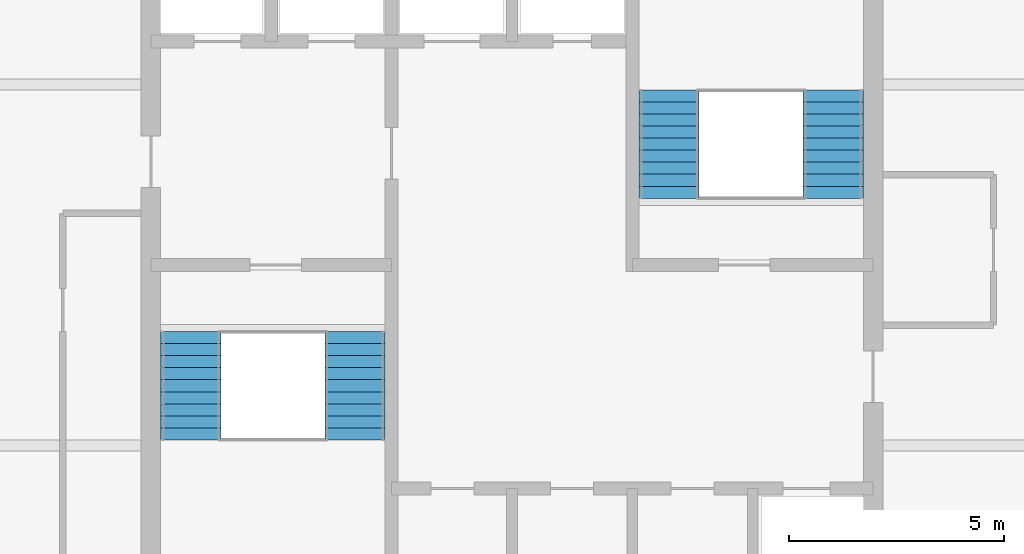
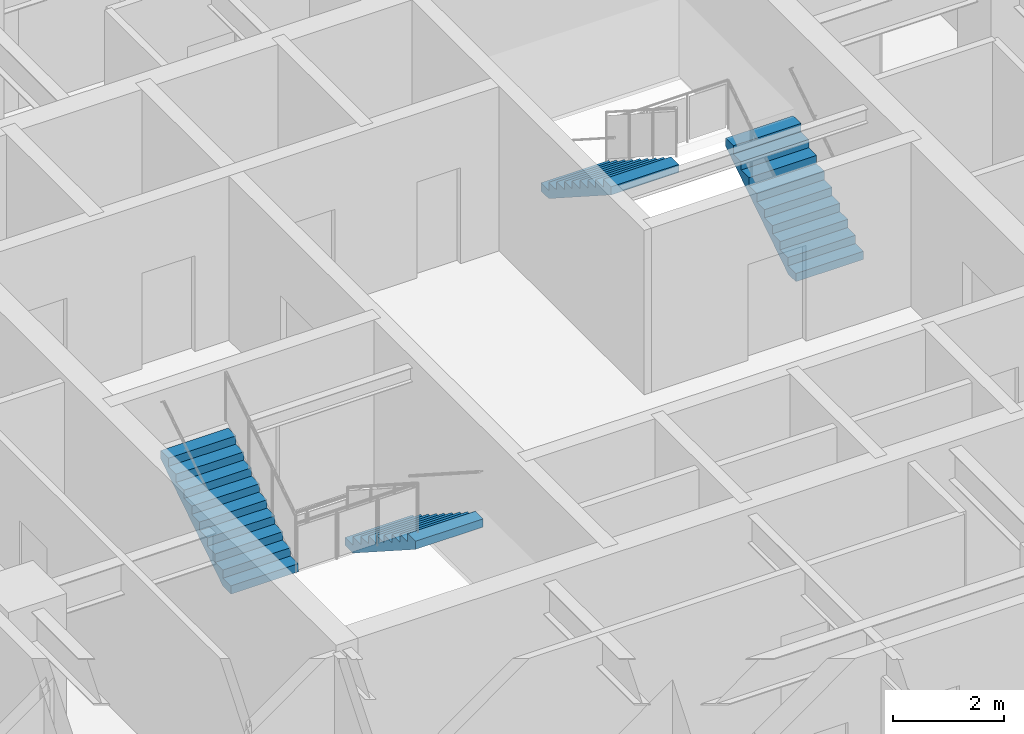
# One storey, part 9 of 10: 4 stair flights, 2 elements without a shape of their own.
"""IFC4 building model written with IfcOpenShell, lengths in metres."""

from ifc_helpers import new_model, si_unit, direction, frame, origin, place, context, subcontext, project, spatial, polyline, outline, extrude, material, type_object, element, aggregate, save


model = new_model("IFC4")

# Units and contexts
model_context = context("Model", 3, precision=1e-05, world=origin(), true_north=direction((0.0, 1.0)))
body_context = subcontext(model_context, "Body", "Model", "MODEL_VIEW")
ifc_project = project(units=[si_unit("LENGTHUNIT", "METRE"), si_unit("AREAUNIT", "SQUARE_METRE"), si_unit("VOLUMEUNIT", "CUBIC_METRE"), si_unit("PLANEANGLEUNIT", "RADIAN"), si_unit("MASSUNIT", "GRAM", prefix="KILO")], contexts=[model_context])

# Site, building, storey
site_placement = place(None, origin())
site = spatial("IfcSite", under=ifc_project, at=site_placement, CompositionType="ELEMENT")
building_placement = place(site_placement, origin())
building = spatial("IfcBuilding", under=site, at=building_placement, Name="Torre Alcanfor", CompositionType="ELEMENT")
storey_placement = place(building_placement, frame((0.0, 0.0, 264.89990234375)))
storey = spatial("IfcBuildingStorey", under=building, at=storey_placement, Name="L69", CompositionType="ELEMENT", Elevation=264.89990234375)

# Stair, stair flights
ifc_material_1 = material(Name="Concrete f'c 35 MPa", Category="concrete")
stair_type_1 = type_object("IfcStairType", Name="Exit stair S1 1400 wide", PredefinedType="HALF_TURN_STAIR", material=ifc_material_1)
stair_1_placement = place(storey_placement, origin())
stair_1 = element("IfcStair", 1, at=stair_1_placement, inside=storey, type_object=stair_type_1, Name="Stair S1 L69 to L70", PredefinedType="HALF_TURN_STAIR")
ifc_material_2 = material(Name="Concrete f'c 35 MPa", Category="concrete")
stair_flight_type = type_object("IfcStairFlightType", Name="Stair flight 1400", PredefinedType="STRAIGHT", material=ifc_material_2)
stair_flight_1_placement = place(storey_placement, frame((25.75, 27.85009765625, 0.0), z_axis=(0.0, 0.0, 1.0), x_axis=(0.0, -1.0, 0.0)))
stair_flight_1 = element("IfcStairFlight", 2, at=stair_flight_1_placement, type_object=stair_flight_type, Name="S1 flight 1", NumberOfRisers=10, NumberOfTreads=9, PredefinedType="STRAIGHT", RiserHeight=0.18, TreadLength=0.28, context=body_context, shape_type="SweptSolid", body=[
    extrude(outline(polyline([(0.0, 0.0), (0.0, 0.179931640625), (0.280029296875, 0.179931640625), (0.280029296875, 0.360107421875), (0.56005859375, 0.360107421875), (0.56005859375, 0.5400390625), (0.840087890625, 0.5400390625), (0.840087890625, 0.719970703125), (1.1201171875, 0.719970703125), (1.1201171875, 0.89990234375), (1.39990234375, 0.89990234375), (1.39990234375, 1.080078125), (1.679931640625, 1.080078125), (1.679931640625, 1.260009765625), (1.9599609375, 1.260009765625), (1.9599609375, 1.43994140625), (2.239990234375, 1.43994140625), (2.239990234375, 1.6201171875), (2.52001953125, 1.6201171875), (2.52001953125, 1.800048828125), (2.52001953125, 1.44189453125), (0.277099609375, 0.0), (0.0, 0.0)])), frame((0.0, 0.699951171875, 0.0), z_axis=(0.0, -1.0, 0.0), x_axis=(1.0, 0.0, 0.0)), (0.0, 0.0, 1.0), 1.39990234375),
])
stair_flight_2_placement = place(storey_placement, frame((21.925048828125, 25.330078125, 1.800048828125), z_axis=(0.0, 0.0, 1.0), x_axis=(0.0, 1.0, 0.0)))
stair_flight_2 = element("IfcStairFlight", 3, at=stair_flight_2_placement, type_object=stair_flight_type, Name="S1 flight 2", NumberOfRisers=10, NumberOfTreads=9, PredefinedType="STRAIGHT", RiserHeight=0.18, TreadLength=0.28, context=body_context, shape_type="SweptSolid", body=[
    extrude(outline(polyline([(0.0, 0.0), (0.0, 0.179931640625), (0.280029296875, 0.179931640625), (0.280029296875, 0.360107421875), (0.56005859375, 0.360107421875), (0.56005859375, 0.5400390625), (0.840087890625, 0.5400390625), (0.840087890625, 0.719970703125), (1.1201171875, 0.719970703125), (1.1201171875, 0.89990234375), (1.39990234375, 0.89990234375), (1.39990234375, 1.080078125), (1.679931640625, 1.080078125), (1.679931640625, 1.260009765625), (1.9599609375, 1.260009765625), (1.9599609375, 1.43994140625), (2.239990234375, 1.43994140625), (2.239990234375, 1.6201171875), (2.52001953125, 1.6201171875), (2.52001953125, 1.800048828125), (2.52001953125, 1.44189453125), (0.277099609375, 0.0), (0.0, 0.0)])), frame((0.0, 0.699951171875, 0.0), z_axis=(0.0, -1.0, 0.0), x_axis=(1.0, 0.0, 0.0)), (0.0, 0.0, 1.0), 1.39990234375),
])
aggregate(stair_1, [stair_flight_1, stair_flight_2])

ifc_material_3 = material(Name="Concrete f'c 35 MPa", Category="concrete")
stair_type_2 = type_object("IfcStairType", Name="Exit stair S2 1400 wide", PredefinedType="HALF_TURN_STAIR", material=ifc_material_3)
stair_2_placement = place(storey_placement, origin())
stair_2 = element("IfcStair", 4, at=stair_2_placement, inside=storey, type_object=stair_type_2, Name="Stair S2 L69 to L70", PredefinedType="HALF_TURN_STAIR")
stair_flight_3_placement = place(storey_placement, frame((36.875, 30.949951171875, 0.0), z_axis=(0.0, 0.0, 1.0), x_axis=(0.0, 1.0, 0.0)))
stair_flight_3 = element("IfcStairFlight", 5, at=stair_flight_3_placement, type_object=stair_flight_type, Name="S2 flight 1", NumberOfRisers=10, NumberOfTreads=9, PredefinedType="STRAIGHT", RiserHeight=0.18, TreadLength=0.28, context=body_context, shape_type="SweptSolid", body=[
    extrude(outline(polyline([(0.0, 0.0), (0.0, 0.179931640625), (0.280029296875, 0.179931640625), (0.280029296875, 0.360107421875), (0.56005859375, 0.360107421875), (0.56005859375, 0.5400390625), (0.840087890625, 0.5400390625), (0.840087890625, 0.719970703125), (1.1201171875, 0.719970703125), (1.1201171875, 0.89990234375), (1.39990234375, 0.89990234375), (1.39990234375, 1.080078125), (1.679931640625, 1.080078125), (1.679931640625, 1.260009765625), (1.9599609375, 1.260009765625), (1.9599609375, 1.43994140625), (2.239990234375, 1.43994140625), (2.239990234375, 1.6201171875), (2.52001953125, 1.6201171875), (2.52001953125, 1.800048828125), (2.52001953125, 1.44189453125), (0.277099609375, 0.0), (0.0, 0.0)])), frame((0.0, 0.699951171875, 0.0), z_axis=(0.0, -1.0, 0.0), x_axis=(1.0, 0.0, 0.0)), (0.0, 0.0, 1.0), 1.39990234375),
])
stair_flight_4_placement = place(storey_placement, frame((33.050048828125, 33.469970703125, 1.800048828125), z_axis=(0.0, 0.0, 1.0), x_axis=(0.0, -1.0, 0.0)))
stair_flight_4 = element("IfcStairFlight", 6, at=stair_flight_4_placement, type_object=stair_flight_type, Name="S2 flight 2", NumberOfRisers=10, NumberOfTreads=9, PredefinedType="STRAIGHT", RiserHeight=0.18, TreadLength=0.28, context=body_context, shape_type="SweptSolid", body=[
    extrude(outline(polyline([(0.0, 0.0), (0.0, 0.179931640625), (0.280029296875, 0.179931640625), (0.280029296875, 0.360107421875), (0.56005859375, 0.360107421875), (0.56005859375, 0.5400390625), (0.840087890625, 0.5400390625), (0.840087890625, 0.719970703125), (1.1201171875, 0.719970703125), (1.1201171875, 0.89990234375), (1.39990234375, 0.89990234375), (1.39990234375, 1.080078125), (1.679931640625, 1.080078125), (1.679931640625, 1.260009765625), (1.9599609375, 1.260009765625), (1.9599609375, 1.43994140625), (2.239990234375, 1.43994140625), (2.239990234375, 1.6201171875), (2.52001953125, 1.6201171875), (2.52001953125, 1.800048828125), (2.52001953125, 1.44189453125), (0.277099609375, 0.0), (0.0, 0.0)])), frame((0.0, 0.699951171875, 0.0), z_axis=(0.0, -1.0, 0.0), x_axis=(1.0, 0.0, 0.0)), (0.0, 0.0, 1.0), 1.39990234375),
])
aggregate(stair_2, [stair_flight_3, stair_flight_4])

save(model, "model.ifc")
